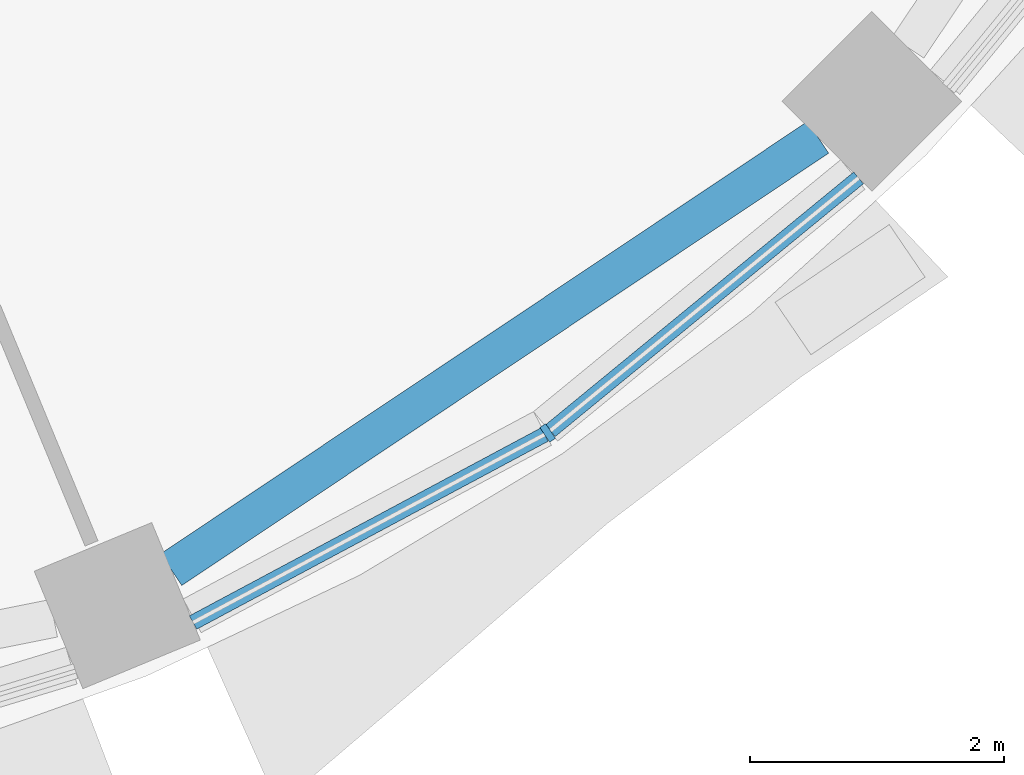
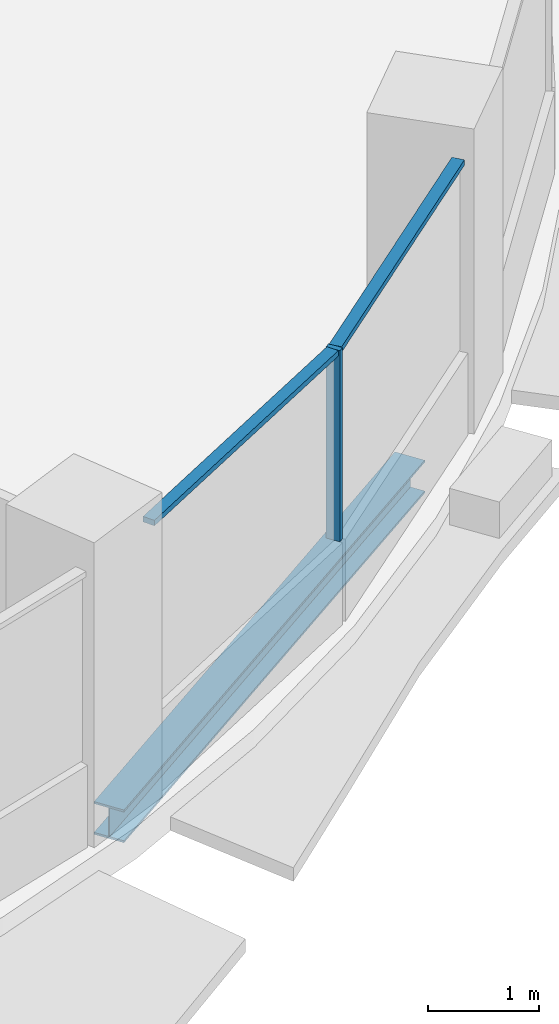
# One storey, part 3 of 14: 3 members, 1 beam, 1 element without a shape of its own.
"""IFC4 building model written with IfcOpenShell, lengths in metres."""

import ifcopenshell
import ifcopenshell.guid

model = None  # the IFC model being written
_history = None  # IfcOwnerHistory: only IFC2X3 demands one
_inside = {}  # id of a spatial element -> (the spatial element, [elements in it])
_under = {}  # id of a project, library or spatial element -> (it, [spatial elements below it])
_declared = {}  # id of a project -> (the project, [libraries it declares])
_typed = {}  # id of a type object -> (the type object, [elements of that type])
_made_of = {}  # id of a material, layer set ... -> (it, [elements and type objects made of it])


def new_model(schema):
    """Start an empty IFC model of exactly this schema.

    Asked for "IFC4X3", IfcOpenShell would pick the latest addendum, in which some entities
    have other attributes; the version numbers below select the first issue.
    IFC2X3 requires an IfcOwnerHistory on every rooted entity: one is made here for all.
    """
    global model, _history
    if schema == "IFC4X3":
        model = ifcopenshell.file(schema_version=(4, 3, 0, 0))
    else:
        model = ifcopenshell.file(schema=schema)
    _inside.clear()
    _under.clear()
    _declared.clear()
    _typed.clear()
    _made_of.clear()
    _history = None
    if model.schema == "IFC2X3":
        org = make("IfcOrganization", Name="unknown")
        user = make(
            "IfcPersonAndOrganization",
            ThePerson=make("IfcPerson", FamilyName="unknown"),
            TheOrganization=org,
        )
        app = make(
            "IfcApplication",
            ApplicationDeveloper=org,
            Version="unknown",
            ApplicationFullName="unknown",
            ApplicationIdentifier="unknown",
        )
        _history = make(
            "IfcOwnerHistory",
            OwningUser=user,
            OwningApplication=app,
            ChangeAction="ADDED",
            CreationDate=0,
        )
    return model


def make(cls, **values):
    """One entity of the class cls with the attributes given. An attribute that is None is left unset."""
    return model.create_entity(
        cls, **{name: value for name, value in values.items() if value is not None}
    )


def rooted(cls, **values):
    """An entity with a GlobalId (a new one), such as an element, a storey or a relation."""
    return make(cls, GlobalId=ifcopenshell.guid.new(), OwnerHistory=_history, **values)


def si_unit(unit_type, name, prefix=None):
    """IfcSIUnit, for example si_unit("LENGTHUNIT", "METRE", prefix="MILLI")."""
    return make("IfcSIUnit", UnitType=unit_type, Prefix=prefix, Name=name)


def assignment(units):
    """IfcUnitAssignment: the units of a project."""
    return None if units is None else make("IfcUnitAssignment", Units=units)


def point(xyz):
    """IfcCartesianPoint."""
    return None if xyz is None else make("IfcCartesianPoint", Coordinates=xyz)


def direction(xyz):
    """IfcDirection."""
    return None if xyz is None else make("IfcDirection", DirectionRatios=xyz)


def frame(location, z_axis=None, x_axis=None):
    """IfcAxis2Placement3D, a coordinate frame: its origin and axes. An axis left out is left unset."""
    return make(
        "IfcAxis2Placement3D",
        Location=point(location),
        Axis=direction(z_axis),
        RefDirection=direction(x_axis),
    )


def frame_2d(location, x_axis=None):
    """IfcAxis2Placement2D, a coordinate frame in the plane: its origin and x axis."""
    return make(
        "IfcAxis2Placement2D", Location=point(location), RefDirection=direction(x_axis)
    )


def origin():
    """The frame at (0, 0, 0) with its axes left unset."""
    return frame((0.0, 0.0, 0.0))


def origin_2d():
    """The frame at (0, 0) in the plane with its x axis left unset."""
    return frame_2d((0.0, 0.0))


def place(relative_to, where):
    """IfcLocalPlacement: puts the frame where relative to a parent placement (None: the world)."""
    return make(
        "IfcLocalPlacement", PlacementRelTo=relative_to, RelativePlacement=where
    )


def context(
    kind, dimensions, precision=None, world=None, true_north=None, identifier=None
):
    """IfcGeometricRepresentationContext, for example the 3D "Model" context."""
    return make(
        "IfcGeometricRepresentationContext",
        ContextIdentifier=identifier,
        ContextType=kind,
        CoordinateSpaceDimension=dimensions,
        Precision=precision,
        WorldCoordinateSystem=world,
        TrueNorth=true_north,
    )


def subcontext(parent, identifier, kind, view, scale=None):
    """IfcGeometricRepresentationSubContext, for example "Body" below "Model"."""
    return make(
        "IfcGeometricRepresentationSubContext",
        ContextIdentifier=identifier,
        ContextType=kind,
        ParentContext=parent,
        TargetScale=scale,
        TargetView=view,
    )


def project(units=None, contexts=None):
    """IfcProject with its units and contexts."""
    return rooted(
        "IfcProject",
        Name="project",
        RepresentationContexts=contexts,
        UnitsInContext=assignment(units),
    )


def spatial(cls, under=None, at=None, **own):
    """A site, building, storey or space (cls), placed at a placement, below another one or the project."""
    s = rooted(cls, ObjectPlacement=at, **own)
    if under is not None:
        _under.setdefault(under.id(), (under, []))[1].append(s)
    return s


def profile(cls, at=None, kind="AREA", **sizes):
    """A parametric profile (cls). Its sizes go by their IFC names, for example OverallWidth=200.0."""
    return make(cls, ProfileType=kind, Position=at, **sizes)


def rectangle(**sizes):
    """IfcRectangleProfileDef."""
    return profile("IfcRectangleProfileDef", **sizes)


def i_section(**sizes):
    """IfcIShapeProfileDef."""
    return profile("IfcIShapeProfileDef", **sizes)


def extrude(swept, where, along, depth):
    """IfcExtrudedAreaSolid: the profile swept, set in the frame where, extruded along a direction by depth."""
    return make(
        "IfcExtrudedAreaSolid",
        SweptArea=swept,
        Position=where,
        ExtrudedDirection=direction(along),
        Depth=depth,
    )


def shape(context_of_items, identifier, shape_type, items):
    """IfcShapeRepresentation: the items that make up one representation, for example the "Body"."""
    return make(
        "IfcShapeRepresentation",
        ContextOfItems=context_of_items,
        RepresentationIdentifier=identifier,
        RepresentationType=shape_type,
        Items=items,
    )


def material(Name=None, Category=None):
    """IfcMaterial."""
    return make("IfcMaterial", Name=Name, Category=Category)


def material_profile(
    of_material, cross_section, Name=None, Category=None, Priority=None
):
    """IfcMaterialProfile: a cross section and its material."""
    return make(
        "IfcMaterialProfile",
        Name=Name,
        Material=of_material,
        Profile=cross_section,
        Priority=Priority,
        Category=Category,
    )


def profile_set(profiles, Name=None, composite=None):
    """IfcMaterialProfileSet."""
    return make(
        "IfcMaterialProfileSet",
        Name=Name,
        MaterialProfiles=profiles,
        CompositeProfile=composite,
    )


def made_of(thing, what):
    """Note that an element or type object is made of a material, layer set ...; save() writes the relation."""
    if what is not None:
        _made_of.setdefault(what.id(), (what, []))[1].append(thing)
    return thing


def type_object(cls, material=None, **own):
    """A type object (cls), such as IfcWallType, which elements share."""
    return made_of(rooted(cls, **own), material)


def element(
    cls,
    number,
    at=None,
    inside=None,
    cuts=None,
    type_object=None,
    material=None,
    context=None,
    identifier="Body",
    shape_type=None,
    held_by="IfcProductDefinitionShape",
    body=None,
    shapes=None,
    **own,
):
    """One element of the class cls, such as IfcWall. Its Tag is "e" and its number.

    at: its placement. inside: the storey or other place that contains it. cuts: it is an
    opening in that element (IfcRelVoidsElement). A single representation is given by context,
    identifier, shape_type and body (its items); several are given by shapes. held_by: the class
    of the entity that holds the representations. save() writes the other relations.
    """
    e = rooted(cls, Tag="e%d" % number, ObjectPlacement=at, **own)
    if body is not None:
        shapes = [shape(context, identifier, shape_type, body)]
    if shapes is not None:
        e.Representation = make(held_by, Representations=shapes)
    if inside is not None:
        _inside.setdefault(inside.id(), (inside, []))[1].append(e)
    if cuts is not None:
        rooted(
            "IfcRelVoidsElement", RelatingBuildingElement=cuts, RelatedOpeningElement=e
        )
    if type_object is not None:
        _typed.setdefault(type_object.id(), (type_object, []))[1].append(e)
    return made_of(e, material)


def aggregate(whole, parts):
    """IfcRelAggregates: a whole, such as a stair, and the parts it consists of."""
    return rooted("IfcRelAggregates", RelatingObject=whole, RelatedObjects=parts)


def save(model, path):
    """Write the relations noted so far, then the file.

    IfcRelAggregates (storeys below a building ...), IfcRelContainedInSpatialStructure (elements
    in a storey), IfcRelDefinesByType, IfcRelAssociatesMaterial and IfcRelDeclares: one each for
    every whole, place, type object, material and project.
    """
    for whole, parts in _under.values():
        aggregate(whole, parts)
    for where, things in _inside.values():
        rooted(
            "IfcRelContainedInSpatialStructure",
            RelatedElements=things,
            RelatingStructure=where,
        )
    for kind, things in _typed.values():
        rooted("IfcRelDefinesByType", RelatedObjects=things, RelatingType=kind)
    for what, things in _made_of.values():
        rooted("IfcRelAssociatesMaterial", RelatedObjects=things, RelatingMaterial=what)
    for by, libraries in _declared.values():
        rooted("IfcRelDeclares", RelatingContext=by, RelatedDefinitions=libraries)
    model.write(path)


model = new_model("IFC4")

# Units and contexts
model_context = context("Model", 3, precision=1e-05, world=origin(), true_north=direction((0.0, 1.0)))
body_context = subcontext(model_context, "Body", "Model", "MODEL_VIEW")
ifc_project = project(units=[si_unit("LENGTHUNIT", "METRE"), si_unit("AREAUNIT", "SQUARE_METRE"), si_unit("VOLUMEUNIT", "CUBIC_METRE"), si_unit("PLANEANGLEUNIT", "RADIAN"), si_unit("MASSUNIT", "GRAM", prefix="KILO")], contexts=[model_context])

# Site, building, storey
site_placement = place(None, origin())
site = spatial("IfcSite", under=ifc_project, at=site_placement, CompositionType="ELEMENT")
building_placement = place(site_placement, origin())
building = spatial("IfcBuilding", under=site, at=building_placement, Name="Polderwave Tower", CompositionType="ELEMENT")
storey_placement = place(building_placement, frame((0.0, 0.0, 144.39990234375)))
storey = spatial("IfcBuildingStorey", under=building, at=storey_placement, Name="L38", CompositionType="ELEMENT", Elevation=144.39990234375)

# Curtain wall, members
ifc_material_1 = material(Name="Aluminium 6063-T6 and glass", Category="aluminium")
curtain_wall_type = type_object("IfcCurtainWallType", Name="Office ribbon glazing wall", PredefinedType="NOTDEFINED", material=ifc_material_1)
curtain_wall_placement = place(storey_placement, origin())
curtain_wall = element("IfcCurtainWall", 1, at=curtain_wall_placement, inside=storey, type_object=curtain_wall_type, Name="CW3 L38 13", PredefinedType="NOTDEFINED")
ifc_material_2 = material(Name="Aluminium 6063-T6", Category="aluminium")
ifc_material_profile_1 = material_profile(ifc_material_2, rectangle(XDim=0.139892578125, YDim=0.054931640625, at=origin_2d()), Name="AL 55x140")
ifc_profile_set_1 = profile_set([ifc_material_profile_1], Name="Aluminium 6063-T6")
member_type_1 = type_object("IfcMemberType", Name="Office ribbon glazing mullion 55x140", PredefinedType="MULLION", material=ifc_profile_set_1)
member_1_placement = place(storey_placement, frame((10.388916015625, -15.548095703125, 0.900146484375), z_axis=(0.0, 0.0, 1.0), x_axis=(-0.555512184136, 0.831508396395, 0.0)))
member_1 = element("IfcMember", 2, at=member_1_placement, type_object=member_type_1, Name="CW3 mullion 1", PredefinedType="MULLION", context=body_context, shape_type="SweptSolid", body=[
    extrude(rectangle(XDim=0.139892578125, YDim=0.054931640625, at=origin_2d()), origin(), (0.0, 0.0, 1.0), 2.099853515625),
])
ifc_material_profile_2 = material_profile(ifc_material_2, rectangle(XDim=0.1201171875, YDim=0.06005859375, at=origin_2d()), Name="AL 60x120")
ifc_profile_set_2 = profile_set([ifc_material_profile_2], Name="Aluminium 6063-T6")
member_type_2 = type_object("IfcMemberType", Name="Office ribbon glazing transom 60x120", PredefinedType="USERDEFINED", material=ifc_profile_set_2)
member_2_placement = place(storey_placement, frame((7.59912109375, -17.0400390625, 2.97021484375), z_axis=(0.881822284691, 0.471581867996, 0.0), x_axis=(-0.471581867996, 0.881822284691, 0.0)))
member_2 = element("IfcMember", 3, at=member_2_placement, type_object=member_type_2, Name="CW3 transom 1", ObjectType="TRANSOM", PredefinedType="USERDEFINED", context=body_context, shape_type="SweptSolid", body=[
    extrude(rectangle(XDim=0.1201171875, YDim=0.06005859375, at=origin_2d()), origin(), (0.0, 0.0, 1.0), 3.13623046875),
])
member_3_placement = place(storey_placement, frame((10.410400390625, -15.530517578125, 2.97021484375), z_axis=(0.773207470816, 0.634153141657, 0.0), x_axis=(-0.634153141657, 0.773207470816, 0.0)))
member_3 = element("IfcMember", 4, at=member_3_placement, type_object=member_type_2, Name="CW3 transom 2", ObjectType="TRANSOM", PredefinedType="USERDEFINED", context=body_context, shape_type="SweptSolid", body=[
    extrude(rectangle(XDim=0.1201171875, YDim=0.06005859375, at=origin_2d()), origin(), (0.0, 0.0, 1.0), 3.1357421875),
])
aggregate(curtain_wall, [member_1, member_2, member_3])

# Beam
ifc_material_3 = material(Name="Steel S355", Category="steel")
ifc_material_profile_3 = material_profile(ifc_material_3, i_section(OverallWidth=0.300048828125, OverallDepth=0.360107421875, WebThickness=0.012451171875, FlangeThickness=0.0224609375, at=origin_2d()), Name="HE 360 B")
ifc_profile_set_3 = profile_set([ifc_material_profile_3], Name="Steel S355")
beam_type = type_object("IfcBeamType", Name="RING BEAM HE 360 B", PredefinedType="BEAM", material=ifc_profile_set_3)
beam_placement = place(storey_placement, frame((7.427001953125, -16.623779296875, -0.52978515625), z_axis=(0.831472997284, 0.555565167003, 0.0), x_axis=(-0.555565167003, 0.831472997284, 0.0)))
element("IfcBeam", 5, at=beam_placement, inside=storey, type_object=beam_type, Name="ST-RB-L38-13", PredefinedType="BEAM", context=body_context, shape_type="SweptSolid", body=[
    extrude(i_section(OverallWidth=0.300048828125, OverallDepth=0.360107421875, WebThickness=0.012451171875, FlangeThickness=0.0224609375, at=origin_2d()), origin(), (0.0, 0.0, 1.0), 6.12060546875),
])

save(model, "model.ifc")
